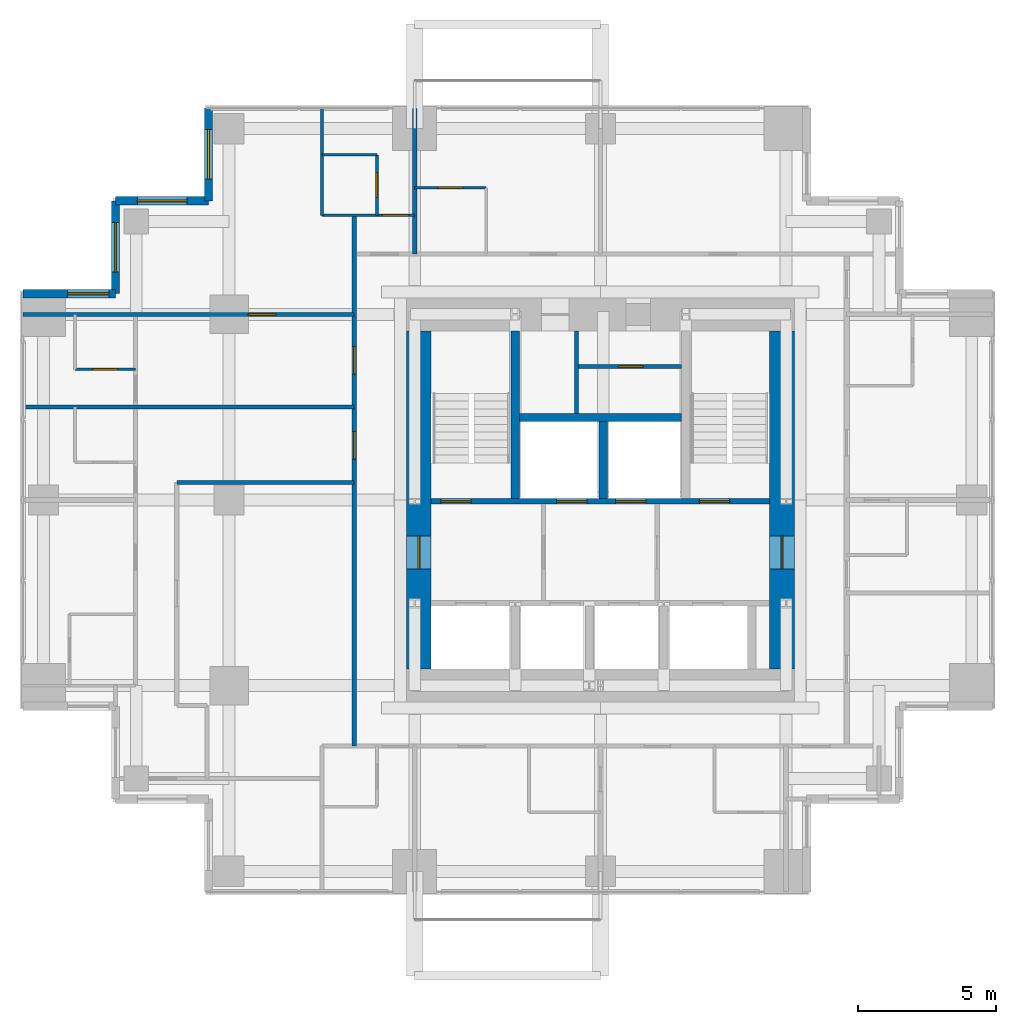
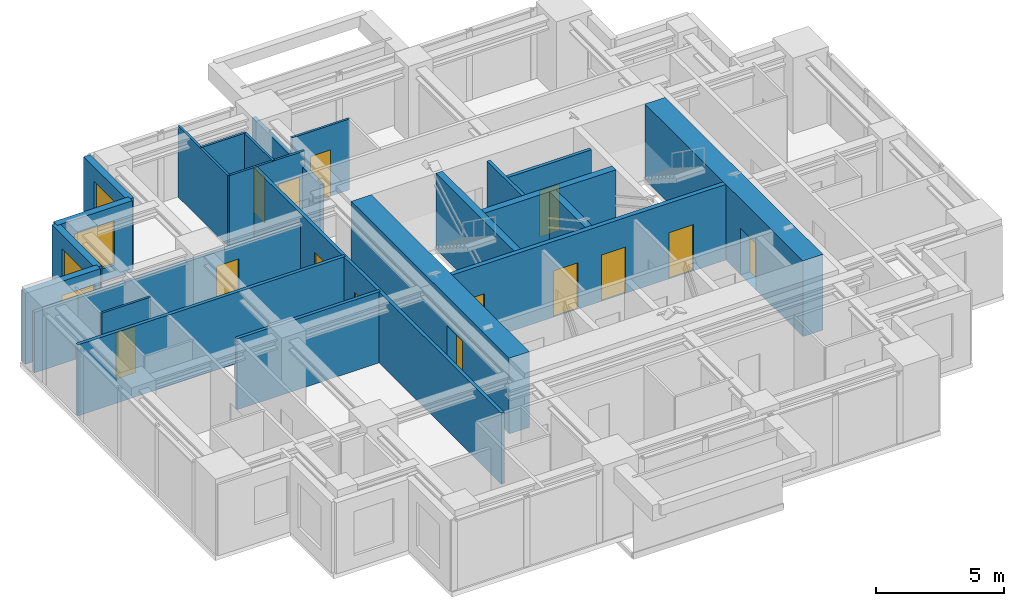
# One storey, part 5 of 8: 23 walls, 14 doors, 4 windows, 18 openings.
"""IFC4 building model written with IfcOpenShell, lengths in metres."""

from ifc_helpers import new_model, si_unit, direction, frame, frame_2d, origin, place, context, subcontext, project, spatial, rectangle, extrude, material, layer, layer_set, type_object, element, fill, save


model = new_model("IFC4")

# Units and contexts
model_context = context("Model", 3, precision=1e-05, world=origin(), true_north=direction((0.0, 1.0)))
body_context = subcontext(model_context, "Body", "Model", "MODEL_VIEW")
ifc_project = project(units=[si_unit("LENGTHUNIT", "METRE"), si_unit("AREAUNIT", "SQUARE_METRE"), si_unit("VOLUMEUNIT", "CUBIC_METRE"), si_unit("PLANEANGLEUNIT", "RADIAN"), si_unit("MASSUNIT", "GRAM", prefix="KILO")], contexts=[model_context])

# Site, building, storey
site_placement = place(None, origin())
site = spatial("IfcSite", under=ifc_project, at=site_placement, CompositionType="ELEMENT")
building_placement = place(site_placement, origin())
building = spatial("IfcBuilding", under=site, at=building_placement, Name="Nyansa Garden Tower", CompositionType="ELEMENT")
storey_placement = place(building_placement, frame((0.0, 0.0, 207.89990234375)))
storey = spatial("IfcBuildingStorey", under=building, at=storey_placement, Name="L56", CompositionType="ELEMENT", Elevation=207.89990234375)

# Wall
ifc_material_1 = material(Name="Dense blockwork, plastered both sides, 55 dB", Category="masonry")
ifc_layer_1 = layer(ifc_material_1, 0.175048828125)
ifc_layer_set_1 = layer_set([ifc_layer_1], Name="Acoustic party wall PW175")
wall_type_1 = type_object("IfcWallType", Name="Acoustic party wall PW175", PredefinedType="PARTITIONING", material=ifc_layer_set_1)
wall_1_placement = place(storey_placement, frame((13.5, 29.199951171875, 0.0), z_axis=(0.0, 0.0, 1.0), x_axis=(0.0, 1.0, 0.0)))
element("IfcWall", 1, at=wall_1_placement, inside=storey, type_object=wall_type_1, Name="Party wall", PredefinedType="PARTITIONING", context=body_context, shape_type="SweptSolid", body=[
    extrude(rectangle(XDim=5.283935546875, YDim=0.175048828125, at=frame_2d((2.64208984375, 0.0))), origin(), (0.0, 0.0, 1.0), 2.610107421875),
])

# Wall, openings, doors
ifc_material_2 = material(Name="Concrete C70/85", Category="concrete")
ifc_layer_2 = layer(ifc_material_2, 0.199951171875)
ifc_layer_set_2 = layer_set([ifc_layer_2], Name="Core inner wall CI200")
wall_type_2 = type_object("IfcWallType", Name="Core inner wall CI200", PredefinedType="SHEAR", material=ifc_layer_set_2)
wall_2_placement = place(storey_placement, frame((14.10009765625, 20.199951171875, 0.0), z_axis=(0.0, 0.0, 1.0), x_axis=(1.0, 0.0, 0.0)))
wall_2 = element("IfcWall", 2, at=wall_2_placement, inside=storey, type_object=wall_type_2, Name="Core inner wall L56", PredefinedType="SHEAR", context=body_context, shape_type="SweptSolid", body=[
    extrude(rectangle(XDim=12.2998046875, YDim=0.199951171875, at=frame_2d((6.14990234375, 0.0))), origin(), (0.0, 0.0, 1.0), 3.60009765625),
])
opening_1_placement = place(wall_2_placement, frame((4.56005859375, 0.0, 0.0)))
opening_1 = element("IfcOpeningElement", 3, at=opening_1_placement, cuts=wall_2, Name="Opening LD-B", PredefinedType="OPENING", context=body_context, shape_type="SweptSolid", body=[
    extrude(rectangle(XDim=1.10009765625, YDim=2.199951171875, at=frame_2d((0.550048828125, 1.10009765625))), frame((0.0, 0.10986328125, 0.0), z_axis=(0.0, -1.0, 0.0), x_axis=(1.0, 0.0, 0.0)), (0.0, 0.0, 1.0), 0.219970703125),
])
opening_2_placement = place(wall_2_placement, frame((6.699951171875, 0.0, 0.0)))
opening_2 = element("IfcOpeningElement", 4, at=opening_2_placement, cuts=wall_2, Name="Opening LD-B", PredefinedType="OPENING", context=body_context, shape_type="SweptSolid", body=[
    extrude(rectangle(XDim=1.10009765625, YDim=2.199951171875, at=frame_2d((0.550048828125, 1.10009765625))), frame((0.0, 0.10986328125, 0.0), z_axis=(0.0, -1.0, 0.0), x_axis=(1.0, 0.0, 0.0)), (0.0, 0.0, 1.0), 0.219970703125),
])
opening_3_placement = place(wall_2_placement, frame((0.35009765625, 0.0, 0.0)))
opening_3 = element("IfcOpeningElement", 5, at=opening_3_placement, cuts=wall_2, Name="Opening D05", PredefinedType="OPENING", context=body_context, shape_type="SweptSolid", body=[
    extrude(rectangle(XDim=1.10009765625, YDim=2.199951171875, at=frame_2d((0.550048828125, 1.10009765625))), frame((0.0, 0.10986328125, 0.0), z_axis=(0.0, -1.0, 0.0), x_axis=(1.0, 0.0, 0.0)), (0.0, 0.0, 1.0), 0.219970703125),
])
opening_4_placement = place(wall_2_placement, frame((9.75, 0.0, 0.0)))
opening_4 = element("IfcOpeningElement", 6, at=opening_4_placement, cuts=wall_2, Name="Opening D05", PredefinedType="OPENING", context=body_context, shape_type="SweptSolid", body=[
    extrude(rectangle(XDim=1.10009765625, YDim=2.199951171875, at=frame_2d((0.550048828125, 1.10009765625))), frame((0.0, 0.10986328125, 0.0), z_axis=(0.0, -1.0, 0.0), x_axis=(1.0, 0.0, 0.0)), (0.0, 0.0, 1.0), 0.219970703125),
])
ifc_material_3 = material(Name="Stainless steel centre-opening landing door of the high-rise lift, E 120", Category="steel")
door_type_1 = type_object("IfcDoorType", Name="Lift landing door LD-B 1100x2200", OperationType="DOUBLE_DOOR_SLIDING", PredefinedType="DOOR", material=ifc_material_3)
door_1_placement = place(opening_1_placement, origin())
door_1 = element("IfcDoor", 7, at=door_1_placement, inside=storey, type_object=door_type_1, Name="Landing door B3", OperationType="DOUBLE_DOOR_SLIDING", OverallHeight=2.199951171875, OverallWidth=1.10009765625, PredefinedType="DOOR", context=body_context, shape_type="SweptSolid", body=[
    extrude(rectangle(XDim=1.10009765625, YDim=2.199951171875, at=frame_2d((0.550048828125, 1.10009765625))), frame((0.0, 0.02490234375, 0.0), z_axis=(0.0, -1.0, 0.0), x_axis=(1.0, 0.0, 0.0)), (0.0, 0.0, 1.0), 0.050048828125),
])
fill(opening_1, door_1)
door_2_placement = place(opening_2_placement, origin())
door_2 = element("IfcDoor", 8, at=door_2_placement, inside=storey, type_object=door_type_1, Name="Landing door B4", OperationType="DOUBLE_DOOR_SLIDING", OverallHeight=2.199951171875, OverallWidth=1.10009765625, PredefinedType="DOOR", context=body_context, shape_type="SweptSolid", body=[
    extrude(rectangle(XDim=1.10009765625, YDim=2.199951171875, at=frame_2d((0.550048828125, 1.10009765625))), frame((0.0, 0.02490234375, 0.0), z_axis=(0.0, -1.0, 0.0), x_axis=(1.0, 0.0, 0.0)), (0.0, 0.0, 1.0), 0.050048828125),
])
fill(opening_2, door_2)
ifc_material_4 = material(Name="Steel door, 120 minute fire resisting", Category="steel")
door_type_2 = type_object("IfcDoorType", Name="Stair door D05 1100x2200", OperationType="SINGLE_SWING_LEFT", PredefinedType="DOOR", material=ifc_material_4)
door_3_placement = place(opening_3_placement, origin())
door_3 = element("IfcDoor", 9, at=door_3_placement, inside=storey, type_object=door_type_2, Name="Stair S1 door", OperationType="SINGLE_SWING_LEFT", OverallHeight=2.199951171875, OverallWidth=1.10009765625, PredefinedType="DOOR", context=body_context, shape_type="SweptSolid", body=[
    extrude(rectangle(XDim=1.10009765625, YDim=2.199951171875, at=frame_2d((0.550048828125, 1.10009765625))), frame((0.0, 0.02490234375, 0.0), z_axis=(0.0, -1.0, 0.0), x_axis=(1.0, 0.0, 0.0)), (0.0, 0.0, 1.0), 0.050048828125),
])
fill(opening_3, door_3)
door_4_placement = place(opening_4_placement, origin())
door_4 = element("IfcDoor", 10, at=door_4_placement, inside=storey, type_object=door_type_2, Name="Stair S2 door", OperationType="SINGLE_SWING_LEFT", OverallHeight=2.199951171875, OverallWidth=1.10009765625, PredefinedType="DOOR", context=body_context, shape_type="SweptSolid", body=[
    extrude(rectangle(XDim=1.10009765625, YDim=2.199951171875, at=frame_2d((0.550048828125, 1.10009765625))), frame((0.0, 0.02490234375, 0.0), z_axis=(0.0, -1.0, 0.0), x_axis=(1.0, 0.0, 0.0)), (0.0, 0.0, 1.0), 0.050048828125),
])
fill(opening_4, door_4)

# Walls
ifc_material_5 = material(Name="Concrete C70/85", Category="concrete")
ifc_layer_3 = layer(ifc_material_5, 0.300048828125)
ifc_layer_set_3 = layer_set([ifc_layer_3], Name="Core inner wall CI300")
wall_type_3 = type_object("IfcWallType", Name="Core inner wall CI300", PredefinedType="SHEAR", material=ifc_layer_set_3)
wall_3_placement = place(storey_placement, frame((17.14990234375, 20.300048828125, 0.0), z_axis=(0.0, 0.0, 1.0), x_axis=(0.0, 1.0, 0.0)))
element("IfcWall", 11, at=wall_3_placement, inside=storey, type_object=wall_type_3, Name="Core inner wall L56", PredefinedType="SHEAR", context=body_context, shape_type="SweptSolid", body=[
    extrude(rectangle(XDim=6.099853515625, YDim=0.300048828125, at=frame_2d((3.0498046875, 0.0))), origin(), (0.0, 0.0, 1.0), 3.60009765625),
])
wall_4_placement = place(storey_placement, frame((20.35009765625, 20.300048828125, 0.0), z_axis=(0.0, 0.0, 1.0), x_axis=(0.0, 1.0, 0.0)))
element("IfcWall", 12, at=wall_4_placement, inside=storey, type_object=wall_type_3, Name="Core inner wall L56", PredefinedType="SHEAR", context=body_context, shape_type="SweptSolid", body=[
    extrude(rectangle(XDim=2.800048828125, YDim=0.300048828125, at=frame_2d((1.39990234375, 0.0))), origin(), (0.0, 0.0, 1.0), 3.60009765625),
])
wall_5_placement = place(storey_placement, frame((17.300048828125, 23.25, 0.0), z_axis=(0.0, 0.0, 1.0), x_axis=(1.0, 0.0, 0.0)))
element("IfcWall", 13, at=wall_5_placement, inside=storey, type_object=wall_type_3, Name="Core inner wall L56", PredefinedType="SHEAR", context=body_context, shape_type="SweptSolid", body=[
    extrude(rectangle(XDim=5.89990234375, YDim=0.300048828125, at=frame_2d((2.949951171875, 0.0))), origin(), (0.0, 0.0, 1.0), 3.60009765625),
])

# Wall, opening, door
ifc_material_6 = material(Name="Concrete C80/95", Category="concrete")
ifc_layer_4 = layer(ifc_material_6, 0.89990234375)
ifc_layer_set_4 = layer_set([ifc_layer_4], Name="Core wall CW900")
wall_type_4 = type_object("IfcWallType", Name="Core wall CW900", PredefinedType="SHEAR", material=ifc_layer_set_4)
wall_6_placement = place(storey_placement, frame((26.85009765625, 14.10009765625, 0.0), z_axis=(0.0, 0.0, 1.0), x_axis=(0.0, 1.0, 0.0)))
wall_6 = element("IfcWall", 14, at=wall_6_placement, inside=storey, type_object=wall_type_4, Name="Core wall E L56", PredefinedType="SHEAR", context=body_context, shape_type="SweptSolid", body=[
    extrude(rectangle(XDim=12.2998046875, YDim=0.89990234375, at=frame_2d((6.14990234375, 0.0))), origin(), (0.0, 0.0, 1.0), 3.60009765625),
])
opening_5_placement = place(wall_6_placement, frame((3.64990234375, 0.0, 0.0)))
opening_5 = element("IfcOpeningElement", 15, at=opening_5_placement, cuts=wall_6, Name="Opening D06", PredefinedType="OPENING", context=body_context, shape_type="SweptSolid", body=[
    extrude(rectangle(XDim=1.199951171875, YDim=2.199951171875, at=frame_2d((0.60009765625, 1.10009765625))), frame((0.0, 0.4599609375, 0.0), z_axis=(0.0, -1.0, 0.0), x_axis=(1.0, 0.0, 0.0)), (0.0, 0.0, 1.0), 0.919921875),
])
ifc_material_7 = material(Name="Steel door, 120 minute fire resisting", Category="steel")
door_type_3 = type_object("IfcDoorType", Name="Lobby door D06 1200x2200", OperationType="DOUBLE_DOOR_SINGLE_SWING", PredefinedType="DOOR", material=ifc_material_7)
door_5_placement = place(opening_5_placement, origin())
door_5 = element("IfcDoor", 16, at=door_5_placement, inside=storey, type_object=door_type_3, Name="Lift lobby door east", OperationType="DOUBLE_DOOR_SINGLE_SWING", OverallHeight=2.199951171875, OverallWidth=1.199951171875, PredefinedType="DOOR", context=body_context, shape_type="SweptSolid", body=[
    extrude(rectangle(XDim=1.199951171875, YDim=2.199951171875, at=frame_2d((0.60009765625, 1.10009765625))), frame((0.0, 0.02490234375, 0.0), z_axis=(0.0, -1.0, 0.0), x_axis=(1.0, 0.0, 0.0)), (0.0, 0.0, 1.0), 0.050048828125),
])
fill(opening_5, door_5)

wall_7_placement = place(storey_placement, frame((13.64990234375, 26.39990234375, 0.0), z_axis=(0.0, 0.0, 1.0), x_axis=(0.0, -1.0, 0.0)))
wall_7 = element("IfcWall", 17, at=wall_7_placement, inside=storey, type_object=wall_type_4, Name="Core wall W L56", PredefinedType="SHEAR", context=body_context, shape_type="SweptSolid", body=[
    extrude(rectangle(XDim=12.2998046875, YDim=0.89990234375, at=frame_2d((6.14990234375, 0.0))), origin(), (0.0, 0.0, 1.0), 3.60009765625),
])
opening_6_placement = place(wall_7_placement, frame((7.449951171875, 0.0, 0.0)))
opening_6 = element("IfcOpeningElement", 18, at=opening_6_placement, cuts=wall_7, Name="Opening D06", PredefinedType="OPENING", context=body_context, shape_type="SweptSolid", body=[
    extrude(rectangle(XDim=1.199951171875, YDim=2.199951171875, at=frame_2d((0.60009765625, 1.10009765625))), frame((0.0, 0.4599609375, 0.0), z_axis=(0.0, -1.0, 0.0), x_axis=(1.0, 0.0, 0.0)), (0.0, 0.0, 1.0), 0.919921875),
])
door_6_placement = place(opening_6_placement, origin())
door_6 = element("IfcDoor", 19, at=door_6_placement, inside=storey, type_object=door_type_3, Name="Lift lobby door west", OperationType="DOUBLE_DOOR_SINGLE_SWING", OverallHeight=2.199951171875, OverallWidth=1.199951171875, PredefinedType="DOOR", context=body_context, shape_type="SweptSolid", body=[
    extrude(rectangle(XDim=1.199951171875, YDim=2.199951171875, at=frame_2d((0.60009765625, 1.10009765625))), frame((0.0, 0.02490234375, 0.0), z_axis=(0.0, -1.0, 0.0), x_axis=(1.0, 0.0, 0.0)), (0.0, 0.0, 1.0), 0.050048828125),
])
fill(opening_6, door_6)

# Wall
ifc_material_8 = material(Name="Blockwork, plastered both sides", Category="masonry")
ifc_layer_5 = layer(ifc_material_8, 0.14990234375)
ifc_layer_set_5 = layer_set([ifc_layer_5], Name="Partition PW150")
wall_type_5 = type_object("IfcWallType", Name="Partition PW150", PredefinedType="PARTITIONING", material=ifc_layer_set_5)
wall_8_placement = place(storey_placement, frame((19.375, 23.39990234375, 0.0), z_axis=(0.0, 0.0, 1.0), x_axis=(0.0, 1.0, 0.0)))
element("IfcWall", 20, at=wall_8_placement, inside=storey, type_object=wall_type_5, Name="Partition", PredefinedType="PARTITIONING", context=body_context, shape_type="SweptSolid", body=[
    extrude(rectangle(XDim=3.0, YDim=0.14990234375, at=frame_2d((1.5, 0.0))), origin(), (0.0, 0.0, 1.0), 3.375),
])

# Wall, opening, door
wall_9_placement = place(storey_placement, frame((19.449951171875, 25.10009765625, 0.0), z_axis=(0.0, 0.0, 1.0), x_axis=(1.0, 0.0, 0.0)))
wall_9 = element("IfcWall", 21, at=wall_9_placement, inside=storey, type_object=wall_type_5, Name="Partition", PredefinedType="PARTITIONING", context=body_context, shape_type="SweptSolid", body=[
    extrude(rectangle(XDim=3.75, YDim=0.14990234375, at=frame_2d((1.875, 0.0))), origin(), (0.0, 0.0, 1.0), 3.375),
])
opening_7_placement = place(wall_9_placement, frame((1.449951171875, 0.0, 0.0)))
opening_7 = element("IfcOpeningElement", 22, at=opening_7_placement, cuts=wall_9, Name="Opening D02", PredefinedType="OPENING", context=body_context, shape_type="SweptSolid", body=[
    extrude(rectangle(XDim=0.89990234375, YDim=2.199951171875, at=frame_2d((0.449951171875, 1.10009765625))), frame((0.0, 0.0849609375, 0.0), z_axis=(0.0, -1.0, 0.0), x_axis=(1.0, 0.0, 0.0)), (0.0, 0.0, 1.0), 0.169921875),
])
ifc_material_9 = material(Name="Timber flush door", Category="wood")
door_type_4 = type_object("IfcDoorType", Name="En-suite door D02 900x2200", OperationType="SINGLE_SWING_RIGHT", PredefinedType="DOOR", material=ifc_material_9)
door_7_placement = place(opening_7_placement, origin())
door_7 = element("IfcDoor", 23, at=door_7_placement, inside=storey, type_object=door_type_4, Name="Staff WC door", OperationType="SINGLE_SWING_RIGHT", OverallHeight=2.199951171875, OverallWidth=0.89990234375, PredefinedType="DOOR", context=body_context, shape_type="SweptSolid", body=[
    extrude(rectangle(XDim=0.89990234375, YDim=2.199951171875, at=frame_2d((0.449951171875, 1.10009765625))), frame((0.0, 0.02490234375, 0.0), z_axis=(0.0, -1.0, 0.0), x_axis=(1.0, 0.0, 0.0)), (0.0, 0.0, 1.0), 0.050048828125),
])
fill(opening_7, door_7)

# Wall
wall_10_placement = place(storey_placement, frame((-0.73388671875, 23.625, 0.0), z_axis=(0.0, 0.0, 1.0), x_axis=(1.0, 0.0, 0.0)))
element("IfcWall", 24, at=wall_10_placement, inside=storey, type_object=wall_type_5, Name="Partition", PredefinedType="PARTITIONING", context=body_context, shape_type="SweptSolid", body=[
    extrude(rectangle(XDim=12.033935546875, YDim=0.14990234375, at=frame_2d((6.01708984375, 0.0))), origin(), (0.0, 0.0, 1.0), 3.375),
])

# Wall, opening, door
wall_11_placement = place(storey_placement, frame((-0.73388671875, 27.0, 0.0), z_axis=(0.0, 0.0, 1.0), x_axis=(1.0, 0.0, 0.0)))
wall_11 = element("IfcWall", 25, at=wall_11_placement, inside=storey, type_object=wall_type_5, Name="Partition", PredefinedType="PARTITIONING", context=body_context, shape_type="SweptSolid", body=[
    extrude(rectangle(XDim=12.033935546875, YDim=0.14990234375, at=frame_2d((6.01708984375, 0.0))), origin(), (0.0, 0.0, 1.0), 2.877197265625),
])
opening_8_placement = place(wall_11_placement, frame((8.18408203125, 0.0, 0.0)))
opening_8 = element("IfcOpeningElement", 26, at=opening_8_placement, cuts=wall_11, Name="Opening D03", PredefinedType="OPENING", context=body_context, shape_type="SweptSolid", body=[
    extrude(rectangle(XDim=1.0, YDim=2.199951171875, at=frame_2d((0.5, 1.10009765625))), frame((0.0, 0.0849609375, 0.0), z_axis=(0.0, -1.0, 0.0), x_axis=(1.0, 0.0, 0.0)), (0.0, 0.0, 1.0), 0.169921875),
])
ifc_material_10 = material(Name="Timber flush door, 60 minute fire resisting", Category="wood")
door_type_5 = type_object("IfcDoorType", Name="Cluster entrance door D03 1000x2200", OperationType="SINGLE_SWING_LEFT", PredefinedType="DOOR", material=ifc_material_10)
door_8_placement = place(opening_8_placement, origin())
door_8 = element("IfcDoor", 27, at=door_8_placement, inside=storey, type_object=door_type_5, Name="Door L56-038", OperationType="SINGLE_SWING_LEFT", OverallHeight=2.199951171875, OverallWidth=1.0, PredefinedType="DOOR", context=body_context, shape_type="SweptSolid", body=[
    extrude(rectangle(XDim=1.0, YDim=2.199951171875, at=frame_2d((0.5, 1.10009765625))), frame((0.0, 0.02490234375, 0.0), z_axis=(0.0, -1.0, 0.0), x_axis=(1.0, 0.0, 0.0)), (0.0, 0.0, 1.0), 0.050048828125),
])
fill(opening_8, door_8)

# Wall
wall_12_placement = place(storey_placement, frame((4.85009765625, 20.886962890625, 0.0), z_axis=(0.0, 0.0, 1.0), x_axis=(1.0, 0.0, 0.0)))
element("IfcWall", 28, at=wall_12_placement, inside=storey, type_object=wall_type_5, Name="Partition", PredefinedType="PARTITIONING", context=body_context, shape_type="SweptSolid", body=[
    extrude(rectangle(XDim=6.449951171875, YDim=0.14990234375, at=frame_2d((3.22509765625, 0.0))), origin(), (0.0, 0.0, 1.0), 3.375),
])

# Wall, openings, doors
wall_13_placement = place(storey_placement, frame((11.300048828125, 11.300048828125, 0.0), z_axis=(0.0, 0.0, 1.0), x_axis=(0.0, 1.0, 0.0)))
wall_13 = element("IfcWall", 29, at=wall_13_placement, inside=storey, type_object=wall_type_5, Name="Partition", PredefinedType="PARTITIONING", context=body_context, shape_type="SweptSolid", body=[
    extrude(rectangle(XDim=19.300048828125, YDim=0.14990234375, at=frame_2d((9.64990234375, 0.0))), origin(), (0.0, 0.0, 1.0), 3.375),
])
opening_9_placement = place(wall_13_placement, frame((13.52490234375, 0.0, 0.0)))
opening_9 = element("IfcOpeningElement", 30, at=opening_9_placement, cuts=wall_13, Name="Opening D03", PredefinedType="OPENING", context=body_context, shape_type="SweptSolid", body=[
    extrude(rectangle(XDim=1.0, YDim=2.199951171875, at=frame_2d((0.5, 1.10009765625))), frame((0.0, 0.0849609375, 0.0), z_axis=(0.0, -1.0, 0.0), x_axis=(1.0, 0.0, 0.0)), (0.0, 0.0, 1.0), 0.169921875),
])
opening_10_placement = place(wall_13_placement, frame((10.4375, 0.0, 0.0)))
opening_10 = element("IfcOpeningElement", 31, at=opening_10_placement, cuts=wall_13, Name="Opening D03", PredefinedType="OPENING", context=body_context, shape_type="SweptSolid", body=[
    extrude(rectangle(XDim=1.0, YDim=2.199951171875, at=frame_2d((0.5, 1.10009765625))), frame((0.0, 0.0849609375, 0.0), z_axis=(0.0, -1.0, 0.0), x_axis=(1.0, 0.0, 0.0)), (0.0, 0.0, 1.0), 0.169921875),
])
door_9_placement = place(opening_9_placement, origin())
door_9 = element("IfcDoor", 32, at=door_9_placement, inside=storey, type_object=door_type_5, Name="Door L56-041", OperationType="SINGLE_SWING_LEFT", OverallHeight=2.199951171875, OverallWidth=1.0, PredefinedType="DOOR", context=body_context, shape_type="SweptSolid", body=[
    extrude(rectangle(XDim=1.0, YDim=2.199951171875, at=frame_2d((0.5, 1.10009765625))), frame((0.0, 0.02490234375, 0.0), z_axis=(0.0, -1.0, 0.0), x_axis=(1.0, 0.0, 0.0)), (0.0, 0.0, 1.0), 0.050048828125),
])
fill(opening_9, door_9)
door_10_placement = place(opening_10_placement, origin())
door_10 = element("IfcDoor", 33, at=door_10_placement, inside=storey, type_object=door_type_5, Name="Door L56-046", OperationType="SINGLE_SWING_LEFT", OverallHeight=2.199951171875, OverallWidth=1.0, PredefinedType="DOOR", context=body_context, shape_type="SweptSolid", body=[
    extrude(rectangle(XDim=1.0, YDim=2.199951171875, at=frame_2d((0.5, 1.10009765625))), frame((0.0, 0.02490234375, 0.0), z_axis=(0.0, -1.0, 0.0), x_axis=(1.0, 0.0, 0.0)), (0.0, 0.0, 1.0), 0.050048828125),
])
fill(opening_10, door_10)

# Wall, opening, window
ifc_material_11 = material(Name="Turquoise glazed tile on concrete blockwork", Category="masonry")
ifc_layer_6 = layer(ifc_material_11, 0.300048828125)
ifc_layer_set_6 = layer_set([ifc_layer_6], Name="Tiled corner wall TW300")
wall_type_6 = type_object("IfcWallType", Name="Tiled corner wall TW300", PredefinedType="SOLIDWALL", material=ifc_layer_set_6)
wall_14_placement = place(storey_placement, frame((6.0, 34.5, 0.0), z_axis=(0.0, 0.0, 1.0), x_axis=(0.0, -1.0, 0.0)))
wall_14 = element("IfcWall", 34, at=wall_14_placement, inside=storey, type_object=wall_type_6, Name="Tiled corner wall L56", PredefinedType="SOLIDWALL", context=body_context, shape_type="SweptSolid", body=[
    extrude(rectangle(XDim=3.375, YDim=0.300048828125, at=frame_2d((1.6875, 0.0))), origin(), (0.0, 0.0, 1.0), 3.375),
])
opening_11_placement = place(wall_14_placement, frame((0.78759765625, 0.0, 0.60009765625)))
opening_11 = element("IfcOpeningElement", 35, at=opening_11_placement, cuts=wall_14, Name="Opening W2", PredefinedType="OPENING", context=body_context, shape_type="SweptSolid", body=[
    extrude(rectangle(XDim=1.800048828125, YDim=2.10009765625, at=frame_2d((0.89990234375, 1.050048828125))), frame((0.0, 0.159912109375, 0.0), z_axis=(0.0, -1.0, 0.0), x_axis=(1.0, 0.0, 0.0)), (0.0, 0.0, 1.0), 0.320068359375),
])
ifc_material_12 = material(Name="Black aluminium frame, dark tinted double glazing", Category="aluminium")
window_type_1 = type_object("IfcWindowType", Name="Window W2 1800x2100", PartitioningType="SINGLE_PANEL", PredefinedType="WINDOW", material=ifc_material_12)
window_1_placement = place(opening_11_placement, origin())
window_1 = element("IfcWindow", 36, at=window_1_placement, inside=storey, type_object=window_type_1, Name="Corner window L56", OverallHeight=2.10009765625, OverallWidth=1.800048828125, PartitioningType="SINGLE_PANEL", PredefinedType="WINDOW", context=body_context, shape_type="SweptSolid", body=[
    extrude(rectangle(XDim=1.800048828125, YDim=2.10009765625, at=frame_2d((0.89990234375, 1.050048828125))), frame((0.0, 0.030029296875, 0.0), z_axis=(0.0, -1.0, 0.0), x_axis=(1.0, 0.0, 0.0)), (0.0, 0.0, 1.0), 0.06005859375),
])
fill(opening_11, window_1)

wall_15_placement = place(storey_placement, frame((6.0, 31.125, 0.0), z_axis=(0.0, 0.0, 1.0), x_axis=(-1.0, 0.0, 0.0)))
wall_15 = element("IfcWall", 37, at=wall_15_placement, inside=storey, type_object=wall_type_6, Name="Tiled corner wall L56", PredefinedType="SOLIDWALL", context=body_context, shape_type="SweptSolid", body=[
    extrude(rectangle(XDim=3.375, YDim=0.300048828125, at=frame_2d((1.6875, 0.0))), origin(), (0.0, 0.0, 1.0), 3.375),
])
opening_12_placement = place(wall_15_placement, frame((0.78759765625, 0.0, 0.60009765625)))
opening_12 = element("IfcOpeningElement", 38, at=opening_12_placement, cuts=wall_15, Name="Opening W2", PredefinedType="OPENING", context=body_context, shape_type="SweptSolid", body=[
    extrude(rectangle(XDim=1.800048828125, YDim=2.10009765625, at=frame_2d((0.89990234375, 1.050048828125))), frame((0.0, 0.159912109375, 0.0), z_axis=(0.0, -1.0, 0.0), x_axis=(1.0, 0.0, 0.0)), (0.0, 0.0, 1.0), 0.320068359375),
])
window_2_placement = place(opening_12_placement, origin())
window_2 = element("IfcWindow", 39, at=window_2_placement, inside=storey, type_object=window_type_1, Name="Corner window L56", OverallHeight=2.10009765625, OverallWidth=1.800048828125, PartitioningType="SINGLE_PANEL", PredefinedType="WINDOW", context=body_context, shape_type="SweptSolid", body=[
    extrude(rectangle(XDim=1.800048828125, YDim=2.10009765625, at=frame_2d((0.89990234375, 1.050048828125))), frame((0.0, 0.030029296875, 0.0), z_axis=(0.0, -1.0, 0.0), x_axis=(1.0, 0.0, 0.0)), (0.0, 0.0, 1.0), 0.06005859375),
])
fill(opening_12, window_2)

wall_16_placement = place(storey_placement, frame((2.625, 31.125, 0.0), z_axis=(0.0, 0.0, 1.0), x_axis=(0.0, -1.0, 0.0)))
wall_16 = element("IfcWall", 40, at=wall_16_placement, inside=storey, type_object=wall_type_6, Name="Tiled corner wall L56", PredefinedType="SOLIDWALL", context=body_context, shape_type="SweptSolid", body=[
    extrude(rectangle(XDim=3.375, YDim=0.300048828125, at=frame_2d((1.6875, 0.0))), origin(), (0.0, 0.0, 1.0), 3.375),
])
opening_13_placement = place(wall_16_placement, frame((0.78759765625, 0.0, 0.60009765625)))
opening_13 = element("IfcOpeningElement", 41, at=opening_13_placement, cuts=wall_16, Name="Opening W2", PredefinedType="OPENING", context=body_context, shape_type="SweptSolid", body=[
    extrude(rectangle(XDim=1.800048828125, YDim=2.10009765625, at=frame_2d((0.89990234375, 1.050048828125))), frame((0.0, 0.159912109375, 0.0), z_axis=(0.0, -1.0, 0.0), x_axis=(1.0, 0.0, 0.0)), (0.0, 0.0, 1.0), 0.320068359375),
])
window_3_placement = place(opening_13_placement, origin())
window_3 = element("IfcWindow", 42, at=window_3_placement, inside=storey, type_object=window_type_1, Name="Corner window L56", OverallHeight=2.10009765625, OverallWidth=1.800048828125, PartitioningType="SINGLE_PANEL", PredefinedType="WINDOW", context=body_context, shape_type="SweptSolid", body=[
    extrude(rectangle(XDim=1.800048828125, YDim=2.10009765625, at=frame_2d((0.89990234375, 1.050048828125))), frame((0.0, 0.030029296875, 0.0), z_axis=(0.0, -1.0, 0.0), x_axis=(1.0, 0.0, 0.0)), (0.0, 0.0, 1.0), 0.06005859375),
])
fill(opening_13, window_3)

wall_17_placement = place(storey_placement, frame((2.625, 27.75, 0.0), z_axis=(0.0, 0.0, 1.0), x_axis=(-1.0, 0.0, 0.0)))
wall_17 = element("IfcWall", 43, at=wall_17_placement, inside=storey, type_object=wall_type_6, Name="Tiled corner wall L56", PredefinedType="SOLIDWALL", context=body_context, shape_type="SweptSolid", body=[
    extrude(rectangle(XDim=3.375, YDim=0.300048828125, at=frame_2d((1.6875, 0.0))), origin(), (0.0, 0.0, 1.0), 3.375),
])
opening_14_placement = place(wall_17_placement, frame((0.242431640625, 0.0, 0.89990234375)))
opening_14 = element("IfcOpeningElement", 44, at=opening_14_placement, cuts=wall_17, Name="Opening W1", PredefinedType="OPENING", context=body_context, shape_type="SweptSolid", body=[
    extrude(rectangle(XDim=1.5, YDim=1.800048828125, at=frame_2d((0.75, 0.89990234375))), frame((0.0, 0.159912109375, 0.0), z_axis=(0.0, -1.0, 0.0), x_axis=(1.0, 0.0, 0.0)), (0.0, 0.0, 1.0), 0.320068359375),
])
ifc_material_13 = material(Name="Black aluminium frame, dark tinted double glazing", Category="aluminium")
window_type_2 = type_object("IfcWindowType", Name="Window W1 1500x1800", PartitioningType="SINGLE_PANEL", PredefinedType="WINDOW", material=ifc_material_13)
window_4_placement = place(opening_14_placement, origin())
window_4 = element("IfcWindow", 45, at=window_4_placement, inside=storey, type_object=window_type_2, Name="Corner window L56", OverallHeight=1.800048828125, OverallWidth=1.5, PartitioningType="SINGLE_PANEL", PredefinedType="WINDOW", context=body_context, shape_type="SweptSolid", body=[
    extrude(rectangle(XDim=1.5, YDim=1.800048828125, at=frame_2d((0.75, 0.89990234375))), frame((0.0, 0.030029296875, 0.0), z_axis=(0.0, -1.0, 0.0), x_axis=(1.0, 0.0, 0.0)), (0.0, 0.0, 1.0), 0.06005859375),
])
fill(opening_14, window_4)

# Wall, opening, door
ifc_material_14 = material(Name="Moisture resistant board on steel studs, tiled", Category="steel")
ifc_layer_7 = layer(ifc_material_14, 0.10009765625)
ifc_layer_set_7 = layer_set([ifc_layer_7], Name="Wet wall PW100")
wall_type_7 = type_object("IfcWallType", Name="Wet wall PW100", PredefinedType="PARTITIONING", material=ifc_layer_set_7)
wall_18_placement = place(storey_placement, frame((1.14990234375, 25.0, 0.0), z_axis=(0.0, 0.0, 1.0), x_axis=(1.0, 0.0, 0.0)))
wall_18 = element("IfcWall", 46, at=wall_18_placement, inside=storey, type_object=wall_type_7, Name="Wet wall", PredefinedType="PARTITIONING", context=body_context, shape_type="SweptSolid", body=[
    extrude(rectangle(XDim=2.2001953125, YDim=0.10009765625, at=frame_2d((1.10009765625, 0.0))), origin(), (0.0, 0.0, 1.0), 3.375),
])
opening_15_placement = place(wall_18_placement, frame((0.64990234375, 0.0, 0.0)))
opening_15 = element("IfcOpeningElement", 47, at=opening_15_placement, cuts=wall_18, Name="Opening D02", PredefinedType="OPENING", context=body_context, shape_type="SweptSolid", body=[
    extrude(rectangle(XDim=0.89990234375, YDim=2.199951171875, at=frame_2d((0.449951171875, 1.10009765625))), frame((0.0, 0.06005859375, 0.0), z_axis=(0.0, -1.0, 0.0), x_axis=(1.0, 0.0, 0.0)), (0.0, 0.0, 1.0), 0.1201171875),
])
door_11_placement = place(opening_15_placement, origin())
door_11 = element("IfcDoor", 48, at=door_11_placement, inside=storey, type_object=door_type_4, Name="Door L56-040", OperationType="SINGLE_SWING_RIGHT", OverallHeight=2.199951171875, OverallWidth=0.89990234375, PredefinedType="DOOR", context=body_context, shape_type="SweptSolid", body=[
    extrude(rectangle(XDim=0.89990234375, YDim=2.199951171875, at=frame_2d((0.449951171875, 1.10009765625))), frame((0.0, 0.02490234375, 0.0), z_axis=(0.0, -1.0, 0.0), x_axis=(1.0, 0.0, 0.0)), (0.0, 0.0, 1.0), 0.050048828125),
])
fill(opening_15, door_11)

# Wall
wall_19_placement = place(storey_placement, frame((10.125, 30.60009765625, 0.0), z_axis=(0.0, 0.0, 1.0), x_axis=(0.0, 1.0, 0.0)))
element("IfcWall", 49, at=wall_19_placement, inside=storey, type_object=wall_type_7, Name="Wet wall", PredefinedType="PARTITIONING", context=body_context, shape_type="SweptSolid", body=[
    extrude(rectangle(XDim=3.8837890625, YDim=0.10009765625, at=frame_2d((1.94189453125, 0.0))), origin(), (0.0, 0.0, 1.0), 3.375),
])

# Wall, opening, door
wall_20_placement = place(storey_placement, frame((10.125, 30.60009765625, 0.0), z_axis=(0.0, 0.0, 1.0), x_axis=(1.0, 0.0, 0.0)))
wall_20 = element("IfcWall", 50, at=wall_20_placement, inside=storey, type_object=wall_type_7, Name="Wet wall", PredefinedType="PARTITIONING", context=body_context, shape_type="SweptSolid", body=[
    extrude(rectangle(XDim=3.375, YDim=0.10009765625, at=frame_2d((1.6875, 0.0))), origin(), (0.0, 0.0, 1.0), 3.375),
])
opening_16_placement = place(wall_20_placement, frame((2.199951171875, 0.0, 0.0)))
opening_16 = element("IfcOpeningElement", 51, at=opening_16_placement, cuts=wall_20, Name="Opening D14", PredefinedType="OPENING", context=body_context, shape_type="SweptSolid", body=[
    extrude(rectangle(XDim=0.949951171875, YDim=2.199951171875, at=frame_2d((0.47509765625, 1.10009765625))), frame((0.0, 0.06005859375, 0.0), z_axis=(0.0, -1.0, 0.0), x_axis=(1.0, 0.0, 0.0)), (0.0, 0.0, 1.0), 0.1201171875),
])
ifc_material_15 = material(Name="Timber flush door, 60 minute fire resisting, self-closing", Category="wood")
door_type_6 = type_object("IfcDoorType", Name="Studio entrance door D14 950x2200", OperationType="SINGLE_SWING_LEFT", PredefinedType="DOOR", material=ifc_material_15)
door_12_placement = place(opening_16_placement, origin())
door_12 = element("IfcDoor", 52, at=door_12_placement, inside=storey, type_object=door_type_6, Name="Door L56-035", OperationType="SINGLE_SWING_LEFT", OverallHeight=2.199951171875, OverallWidth=0.949951171875, PredefinedType="DOOR", context=body_context, shape_type="SweptSolid", body=[
    extrude(rectangle(XDim=0.949951171875, YDim=2.199951171875, at=frame_2d((0.47509765625, 1.10009765625))), frame((0.0, 0.02490234375, 0.0), z_axis=(0.0, -1.0, 0.0), x_axis=(1.0, 0.0, 0.0)), (0.0, 0.0, 1.0), 0.050048828125),
])
fill(opening_16, door_12)

# Wall
wall_21_placement = place(storey_placement, frame((10.125, 32.800048828125, 0.0), z_axis=(0.0, 0.0, 1.0), x_axis=(1.0, 0.0, 0.0)))
element("IfcWall", 53, at=wall_21_placement, inside=storey, type_object=wall_type_7, Name="Wet wall", PredefinedType="PARTITIONING", context=body_context, shape_type="SweptSolid", body=[
    extrude(rectangle(XDim=2.0, YDim=0.10009765625, at=frame_2d((1.0, 0.0))), origin(), (0.0, 0.0, 1.0), 3.375),
])

# Wall, opening, door
wall_22_placement = place(storey_placement, frame((12.125, 30.60009765625, 0.0), z_axis=(0.0, 0.0, 1.0), x_axis=(0.0, 1.0, 0.0)))
wall_22 = element("IfcWall", 54, at=wall_22_placement, inside=storey, type_object=wall_type_7, Name="Wet wall", PredefinedType="PARTITIONING", context=body_context, shape_type="SweptSolid", body=[
    extrude(rectangle(XDim=2.199951171875, YDim=0.10009765625, at=frame_2d((1.10009765625, 0.0))), origin(), (0.0, 0.0, 1.0), 3.375),
])
opening_17_placement = place(wall_22_placement, frame((0.64990234375, 0.0, 0.0)))
opening_17 = element("IfcOpeningElement", 55, at=opening_17_placement, cuts=wall_22, Name="Opening D02", PredefinedType="OPENING", context=body_context, shape_type="SweptSolid", body=[
    extrude(rectangle(XDim=0.89990234375, YDim=2.199951171875, at=frame_2d((0.449951171875, 1.10009765625))), frame((0.0, 0.06005859375, 0.0), z_axis=(0.0, -1.0, 0.0), x_axis=(1.0, 0.0, 0.0)), (0.0, 0.0, 1.0), 0.1201171875),
])
door_13_placement = place(opening_17_placement, origin())
door_13 = element("IfcDoor", 56, at=door_13_placement, inside=storey, type_object=door_type_4, Name="Door L56-036", OperationType="SINGLE_SWING_RIGHT", OverallHeight=2.199951171875, OverallWidth=0.89990234375, PredefinedType="DOOR", context=body_context, shape_type="SweptSolid", body=[
    extrude(rectangle(XDim=0.89990234375, YDim=2.199951171875, at=frame_2d((0.449951171875, 1.10009765625))), frame((0.0, 0.02490234375, 0.0), z_axis=(0.0, -1.0, 0.0), x_axis=(1.0, 0.0, 0.0)), (0.0, 0.0, 1.0), 0.050048828125),
])
fill(opening_17, door_13)

wall_23_placement = place(storey_placement, frame((13.5, 31.60009765625, 0.0), z_axis=(0.0, 0.0, 1.0), x_axis=(1.0, 0.0, 0.0)))
wall_23 = element("IfcWall", 57, at=wall_23_placement, inside=storey, type_object=wall_type_7, Name="Wet wall", PredefinedType="PARTITIONING", context=body_context, shape_type="SweptSolid", body=[
    extrude(rectangle(XDim=2.60009765625, YDim=0.10009765625, at=frame_2d((1.300048828125, 0.0))), origin(), (0.0, 0.0, 1.0), 3.375),
])
opening_18_placement = place(wall_23_placement, frame((0.85009765625, 0.0, 0.0)))
opening_18 = element("IfcOpeningElement", 58, at=opening_18_placement, cuts=wall_23, Name="Opening D02", PredefinedType="OPENING", context=body_context, shape_type="SweptSolid", body=[
    extrude(rectangle(XDim=0.89990234375, YDim=2.199951171875, at=frame_2d((0.449951171875, 1.10009765625))), frame((0.0, 0.06005859375, 0.0), z_axis=(0.0, -1.0, 0.0), x_axis=(1.0, 0.0, 0.0)), (0.0, 0.0, 1.0), 0.1201171875),
])
door_14_placement = place(opening_18_placement, origin())
door_14 = element("IfcDoor", 59, at=door_14_placement, inside=storey, type_object=door_type_4, Name="Door L56-034", OperationType="SINGLE_SWING_RIGHT", OverallHeight=2.199951171875, OverallWidth=0.89990234375, PredefinedType="DOOR", context=body_context, shape_type="SweptSolid", body=[
    extrude(rectangle(XDim=0.89990234375, YDim=2.199951171875, at=frame_2d((0.449951171875, 1.10009765625))), frame((0.0, 0.02490234375, 0.0), z_axis=(0.0, -1.0, 0.0), x_axis=(1.0, 0.0, 0.0)), (0.0, 0.0, 1.0), 0.050048828125),
])
fill(opening_18, door_14)

save(model, "model.ifc")
